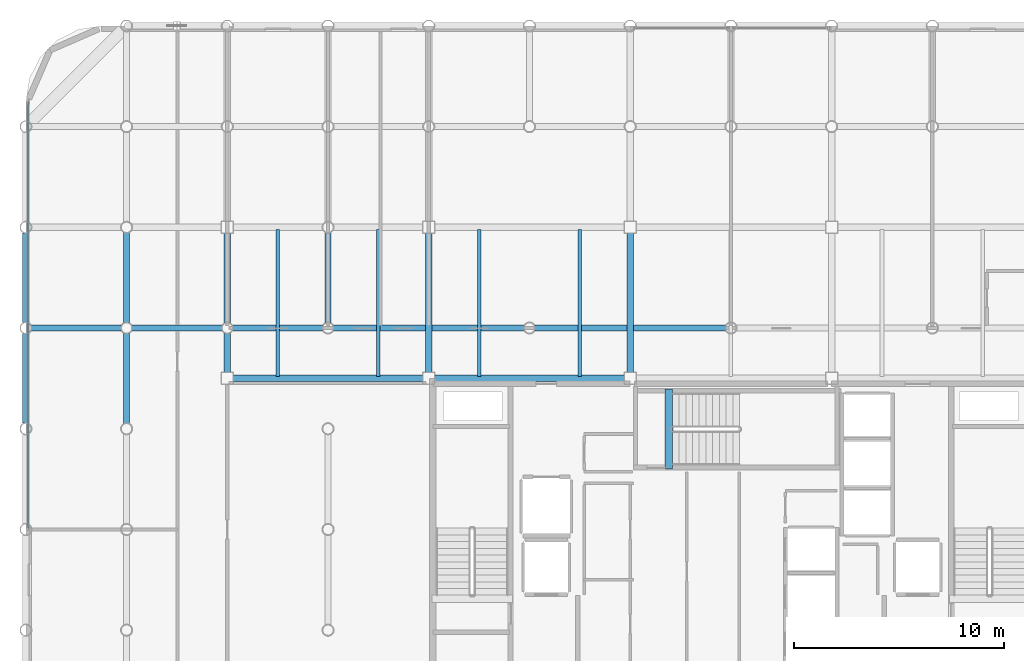
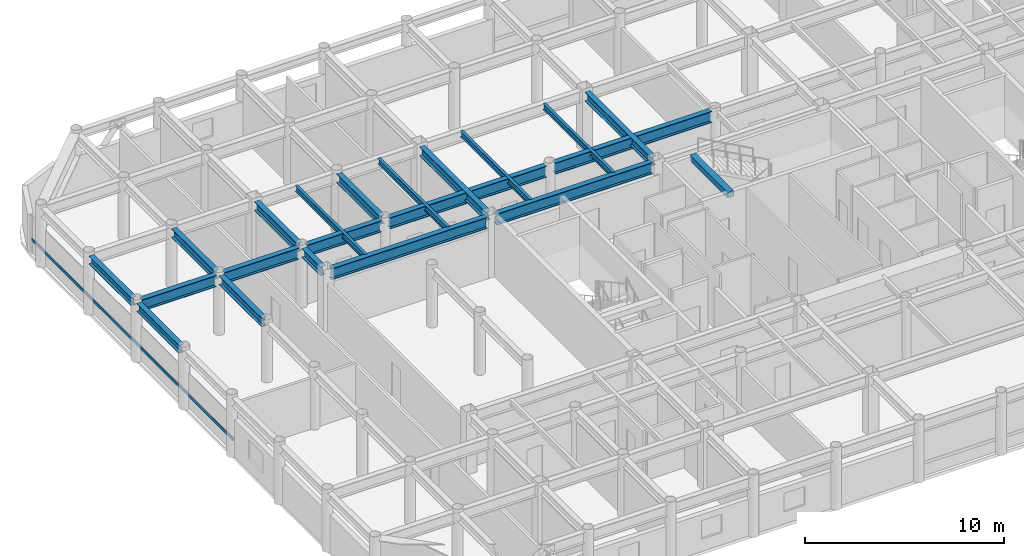
# One storey, part 7 of 22: 21 beams, 1 member, 1 element without a shape of its own.
"""IFC4 building model written with IfcOpenShell, lengths in metres."""

import ifcopenshell
import ifcopenshell.guid

model = None  # the IFC model being written
_history = None  # IfcOwnerHistory: only IFC2X3 demands one
_inside = {}  # id of a spatial element -> (the spatial element, [elements in it])
_under = {}  # id of a project, library or spatial element -> (it, [spatial elements below it])
_declared = {}  # id of a project -> (the project, [libraries it declares])
_typed = {}  # id of a type object -> (the type object, [elements of that type])
_made_of = {}  # id of a material, layer set ... -> (it, [elements and type objects made of it])


def new_model(schema):
    """Start an empty IFC model of exactly this schema.

    Asked for "IFC4X3", IfcOpenShell would pick the latest addendum, in which some entities
    have other attributes; the version numbers below select the first issue.
    IFC2X3 requires an IfcOwnerHistory on every rooted entity: one is made here for all.
    """
    global model, _history
    if schema == "IFC4X3":
        model = ifcopenshell.file(schema_version=(4, 3, 0, 0))
    else:
        model = ifcopenshell.file(schema=schema)
    _inside.clear()
    _under.clear()
    _declared.clear()
    _typed.clear()
    _made_of.clear()
    _history = None
    if model.schema == "IFC2X3":
        org = make("IfcOrganization", Name="unknown")
        user = make(
            "IfcPersonAndOrganization",
            ThePerson=make("IfcPerson", FamilyName="unknown"),
            TheOrganization=org,
        )
        app = make(
            "IfcApplication",
            ApplicationDeveloper=org,
            Version="unknown",
            ApplicationFullName="unknown",
            ApplicationIdentifier="unknown",
        )
        _history = make(
            "IfcOwnerHistory",
            OwningUser=user,
            OwningApplication=app,
            ChangeAction="ADDED",
            CreationDate=0,
        )
    return model


def make(cls, **values):
    """One entity of the class cls with the attributes given. An attribute that is None is left unset."""
    return model.create_entity(
        cls, **{name: value for name, value in values.items() if value is not None}
    )


def rooted(cls, **values):
    """An entity with a GlobalId (a new one), such as an element, a storey or a relation."""
    return make(cls, GlobalId=ifcopenshell.guid.new(), OwnerHistory=_history, **values)


def si_unit(unit_type, name, prefix=None):
    """IfcSIUnit, for example si_unit("LENGTHUNIT", "METRE", prefix="MILLI")."""
    return make("IfcSIUnit", UnitType=unit_type, Prefix=prefix, Name=name)


def assignment(units):
    """IfcUnitAssignment: the units of a project."""
    return None if units is None else make("IfcUnitAssignment", Units=units)


def point(xyz):
    """IfcCartesianPoint."""
    return None if xyz is None else make("IfcCartesianPoint", Coordinates=xyz)


def direction(xyz):
    """IfcDirection."""
    return None if xyz is None else make("IfcDirection", DirectionRatios=xyz)


def frame(location, z_axis=None, x_axis=None):
    """IfcAxis2Placement3D, a coordinate frame: its origin and axes. An axis left out is left unset."""
    return make(
        "IfcAxis2Placement3D",
        Location=point(location),
        Axis=direction(z_axis),
        RefDirection=direction(x_axis),
    )


def frame_2d(location, x_axis=None):
    """IfcAxis2Placement2D, a coordinate frame in the plane: its origin and x axis."""
    return make(
        "IfcAxis2Placement2D", Location=point(location), RefDirection=direction(x_axis)
    )


def origin():
    """The frame at (0, 0, 0) with its axes left unset."""
    return frame((0.0, 0.0, 0.0))


def origin_2d():
    """The frame at (0, 0) in the plane with its x axis left unset."""
    return frame_2d((0.0, 0.0))


def place(relative_to, where):
    """IfcLocalPlacement: puts the frame where relative to a parent placement (None: the world)."""
    return make(
        "IfcLocalPlacement", PlacementRelTo=relative_to, RelativePlacement=where
    )


def context(
    kind, dimensions, precision=None, world=None, true_north=None, identifier=None
):
    """IfcGeometricRepresentationContext, for example the 3D "Model" context."""
    return make(
        "IfcGeometricRepresentationContext",
        ContextIdentifier=identifier,
        ContextType=kind,
        CoordinateSpaceDimension=dimensions,
        Precision=precision,
        WorldCoordinateSystem=world,
        TrueNorth=true_north,
    )


def subcontext(parent, identifier, kind, view, scale=None):
    """IfcGeometricRepresentationSubContext, for example "Body" below "Model"."""
    return make(
        "IfcGeometricRepresentationSubContext",
        ContextIdentifier=identifier,
        ContextType=kind,
        ParentContext=parent,
        TargetScale=scale,
        TargetView=view,
    )


def project(units=None, contexts=None):
    """IfcProject with its units and contexts."""
    return rooted(
        "IfcProject",
        Name="project",
        RepresentationContexts=contexts,
        UnitsInContext=assignment(units),
    )


def spatial(cls, under=None, at=None, **own):
    """A site, building, storey or space (cls), placed at a placement, below another one or the project."""
    s = rooted(cls, ObjectPlacement=at, **own)
    if under is not None:
        _under.setdefault(under.id(), (under, []))[1].append(s)
    return s


def profile(cls, at=None, kind="AREA", **sizes):
    """A parametric profile (cls). Its sizes go by their IFC names, for example OverallWidth=200.0."""
    return make(cls, ProfileType=kind, Position=at, **sizes)


def rectangle(**sizes):
    """IfcRectangleProfileDef."""
    return profile("IfcRectangleProfileDef", **sizes)


def hollow_rectangle(**sizes):
    """IfcRectangleHollowProfileDef."""
    return profile("IfcRectangleHollowProfileDef", **sizes)


def i_section(**sizes):
    """IfcIShapeProfileDef."""
    return profile("IfcIShapeProfileDef", **sizes)


def extrude(swept, where, along, depth):
    """IfcExtrudedAreaSolid: the profile swept, set in the frame where, extruded along a direction by depth."""
    return make(
        "IfcExtrudedAreaSolid",
        SweptArea=swept,
        Position=where,
        ExtrudedDirection=direction(along),
        Depth=depth,
    )


def shape(context_of_items, identifier, shape_type, items):
    """IfcShapeRepresentation: the items that make up one representation, for example the "Body"."""
    return make(
        "IfcShapeRepresentation",
        ContextOfItems=context_of_items,
        RepresentationIdentifier=identifier,
        RepresentationType=shape_type,
        Items=items,
    )


def material(Name=None, Category=None):
    """IfcMaterial."""
    return make("IfcMaterial", Name=Name, Category=Category)


def layer(
    of_material, thickness, ventilated=None, Name=None, Category=None, Priority=None
):
    """IfcMaterialLayer: one layer of a wall or slab, of a material (None: an air gap)."""
    return make(
        "IfcMaterialLayer",
        Material=of_material,
        LayerThickness=thickness,
        IsVentilated=ventilated,
        Name=Name,
        Category=Category,
        Priority=Priority,
    )


def layer_set(layers, Name=None):
    """IfcMaterialLayerSet."""
    return make("IfcMaterialLayerSet", MaterialLayers=layers, LayerSetName=Name)


def material_profile(
    of_material, cross_section, Name=None, Category=None, Priority=None
):
    """IfcMaterialProfile: a cross section and its material."""
    return make(
        "IfcMaterialProfile",
        Name=Name,
        Material=of_material,
        Profile=cross_section,
        Priority=Priority,
        Category=Category,
    )


def profile_set(profiles, Name=None, composite=None):
    """IfcMaterialProfileSet."""
    return make(
        "IfcMaterialProfileSet",
        Name=Name,
        MaterialProfiles=profiles,
        CompositeProfile=composite,
    )


def made_of(thing, what):
    """Note that an element or type object is made of a material, layer set ...; save() writes the relation."""
    if what is not None:
        _made_of.setdefault(what.id(), (what, []))[1].append(thing)
    return thing


def type_object(cls, material=None, **own):
    """A type object (cls), such as IfcWallType, which elements share."""
    return made_of(rooted(cls, **own), material)


def element(
    cls,
    number,
    at=None,
    inside=None,
    cuts=None,
    type_object=None,
    material=None,
    context=None,
    identifier="Body",
    shape_type=None,
    held_by="IfcProductDefinitionShape",
    body=None,
    shapes=None,
    **own,
):
    """One element of the class cls, such as IfcWall. Its Tag is "e" and its number.

    at: its placement. inside: the storey or other place that contains it. cuts: it is an
    opening in that element (IfcRelVoidsElement). A single representation is given by context,
    identifier, shape_type and body (its items); several are given by shapes. held_by: the class
    of the entity that holds the representations. save() writes the other relations.
    """
    e = rooted(cls, Tag="e%d" % number, ObjectPlacement=at, **own)
    if body is not None:
        shapes = [shape(context, identifier, shape_type, body)]
    if shapes is not None:
        e.Representation = make(held_by, Representations=shapes)
    if inside is not None:
        _inside.setdefault(inside.id(), (inside, []))[1].append(e)
    if cuts is not None:
        rooted(
            "IfcRelVoidsElement", RelatingBuildingElement=cuts, RelatedOpeningElement=e
        )
    if type_object is not None:
        _typed.setdefault(type_object.id(), (type_object, []))[1].append(e)
    return made_of(e, material)


def aggregate(whole, parts):
    """IfcRelAggregates: a whole, such as a stair, and the parts it consists of."""
    return rooted("IfcRelAggregates", RelatingObject=whole, RelatedObjects=parts)


def save(model, path):
    """Write the relations noted so far, then the file.

    IfcRelAggregates (storeys below a building ...), IfcRelContainedInSpatialStructure (elements
    in a storey), IfcRelDefinesByType, IfcRelAssociatesMaterial and IfcRelDeclares: one each for
    every whole, place, type object, material and project.
    """
    for whole, parts in _under.values():
        aggregate(whole, parts)
    for where, things in _inside.values():
        rooted(
            "IfcRelContainedInSpatialStructure",
            RelatedElements=things,
            RelatingStructure=where,
        )
    for kind, things in _typed.values():
        rooted("IfcRelDefinesByType", RelatedObjects=things, RelatingType=kind)
    for what, things in _made_of.values():
        rooted("IfcRelAssociatesMaterial", RelatedObjects=things, RelatingMaterial=what)
    for by, libraries in _declared.values():
        rooted("IfcRelDeclares", RelatingContext=by, RelatedDefinitions=libraries)
    model.write(path)


model = new_model("IFC4")

# Units and contexts
model_context = context("Model", 3, precision=1e-05, world=origin(), true_north=direction((0.0, 1.0)))
body_context = subcontext(model_context, "Body", "Model", "MODEL_VIEW")
ifc_project = project(units=[si_unit("LENGTHUNIT", "METRE"), si_unit("AREAUNIT", "SQUARE_METRE"), si_unit("VOLUMEUNIT", "CUBIC_METRE"), si_unit("PLANEANGLEUNIT", "RADIAN"), si_unit("MASSUNIT", "GRAM", prefix="KILO")], contexts=[model_context])

# Site, building, storey
site_placement = place(None, origin())
site = spatial("IfcSite", under=ifc_project, at=site_placement, CompositionType="ELEMENT")
building_placement = place(site_placement, origin())
building = spatial("IfcBuilding", under=site, at=building_placement, Name="Kallvorn Hotel Tower", CompositionType="ELEMENT")
storey_placement = place(building_placement, frame((0.0, 0.0, 264.64990234375)))
storey = spatial("IfcBuildingStorey", under=building, at=storey_placement, Name="L66", CompositionType="ELEMENT", Elevation=264.64990234375)

# Beams
ifc_material_1 = material(Name="Structural steel S355JR", Category="steel")
ifc_material_profile_1 = material_profile(ifc_material_1, i_section(OverallWidth=0.300048828125, OverallDepth=0.5, WebThickness=0.014404296875, FlangeThickness=0.028076171875, at=origin_2d()), Name="HE 500 B")
ifc_profile_set_1 = profile_set([ifc_material_profile_1], Name="Structural steel S355JR")
beam_type_1 = type_object("IfcBeamType", Name="BM_HE500B", PredefinedType="SPANDREL", material=ifc_profile_set_1)
beam_1_placement = place(storey_placement, frame((-33.60009765625, 5.069580078125, 3.420166015625), z_axis=(0.0, 1.0, 0.0), x_axis=(-1.0, 0.0, 0.0)))
element("IfcBeam", 1, at=beam_1_placement, inside=storey, type_object=beam_type_1, Name="L67 Perimeter Spandrel 178", PredefinedType="SPANDREL", context=body_context, shape_type="SweptSolid", body=[
    extrude(i_section(OverallWidth=0.300048828125, OverallDepth=0.5, WebThickness=0.014404296875, FlangeThickness=0.028076171875, at=origin_2d()), origin(), (0.0, 0.0, 1.0), 4.260986328125),
])
beam_2_placement = place(storey_placement, frame((-33.60009765625, 9.869384765625, 3.420166015625), z_axis=(0.0, 1.0, 0.0), x_axis=(-1.0, 0.0, 0.0)))
element("IfcBeam", 2, at=beam_2_placement, inside=storey, type_object=beam_type_1, Name="L67 Perimeter Spandrel 179", PredefinedType="SPANDREL", context=body_context, shape_type="SweptSolid", body=[
    extrude(i_section(OverallWidth=0.300048828125, OverallDepth=0.5, WebThickness=0.014404296875, FlangeThickness=0.028076171875, at=origin_2d()), origin(), (0.0, 0.0, 1.0), 4.26123046875),
])
ifc_material_2 = material(Name="Structural steel S355JR", Category="steel")
ifc_material_profile_2 = material_profile(ifc_material_2, i_section(OverallWidth=0.300048828125, OverallDepth=0.550048828125, WebThickness=0.014892578125, FlangeThickness=0.029052734375, at=origin_2d()), Name="HE 550 B")
ifc_profile_set_2 = profile_set([ifc_material_profile_2], Name="Structural steel S355JR")
beam_type_2 = type_object("IfcBeamType", Name="BM_HE550B", PredefinedType="SPANDREL", material=ifc_profile_set_2)
for number, where, z_axis, x_axis, name in (
    (3, (-28.800048828125, 5.054443359375, 3.39501953125), (0.0, 1.0, 0.0), (-1.0, 0.0, 0.0), "L67 Primary Y-Girder 78"),
    (4, (-28.800048828125, 9.8544921875, 3.39501953125), (0.0, 1.0, 0.0), (-1.0, 0.0, 0.0), "L67 Primary Y-Girder 79"),
):
    element("IfcBeam", number, at=place(storey_placement, frame(where, z_axis=z_axis, x_axis=x_axis)), inside=storey, type_object=beam_type_2, Name=name, PredefinedType="SPANDREL", context=body_context, shape_type="SweptSolid", body=[
        extrude(i_section(OverallWidth=0.300048828125, OverallDepth=0.550048828125, WebThickness=0.014892578125, FlangeThickness=0.029052734375, at=origin_2d()), origin(), (0.0, 0.0, 1.0), 4.291015625),
    ])
beam_3_placement = place(storey_placement, frame((-24.0, 7.47509765625, 3.39501953125), z_axis=(0.0, 1.0, 0.0), x_axis=(-1.0, 0.0, 0.0)))
element("IfcBeam", 5, at=beam_3_placement, inside=storey, type_object=beam_type_2, Name="L67 Primary Y-Girder 85", PredefinedType="SPANDREL", context=body_context, shape_type="SweptSolid", body=[
    extrude(i_section(OverallWidth=0.300048828125, OverallDepth=0.550048828125, WebThickness=0.014892578125, FlangeThickness=0.029052734375, at=origin_2d()), origin(), (0.0, 0.0, 1.0), 1.870361328125),
])
beam_4_placement = place(storey_placement, frame((-24.0, 9.8544921875, 3.39501953125), z_axis=(0.0, 1.0, 0.0), x_axis=(-1.0, 0.0, 0.0)))
element("IfcBeam", 6, at=beam_4_placement, inside=storey, type_object=beam_type_2, Name="L67 Primary Y-Girder 86", PredefinedType="SPANDREL", context=body_context, shape_type="SweptSolid", body=[
    extrude(i_section(OverallWidth=0.300048828125, OverallDepth=0.550048828125, WebThickness=0.014892578125, FlangeThickness=0.029052734375, at=origin_2d()), origin(), (0.0, 0.0, 1.0), 4.2705078125),
])
beam_5_placement = place(storey_placement, frame((-19.199951171875, 9.8544921875, 3.39501953125), z_axis=(0.0, 1.0, 0.0), x_axis=(-1.0, 0.0, 0.0)))
element("IfcBeam", 7, at=beam_5_placement, inside=storey, type_object=beam_type_2, Name="L67 Primary Y-Girder 95", PredefinedType="SPANDREL", context=body_context, shape_type="SweptSolid", body=[
    extrude(i_section(OverallWidth=0.300048828125, OverallDepth=0.550048828125, WebThickness=0.014892578125, FlangeThickness=0.029052734375, at=origin_2d()), origin(), (0.0, 0.0, 1.0), 4.291015625),
])
for number, where, z_axis, x_axis, name in (
    (8, (-14.39990234375, 7.47509765625, 3.39501953125), (0.0, 1.0, 0.0), (-1.0, 0.0, 0.0), "L67 Primary Y-Girder 100"),
    (9, (-4.800048828125, 7.47509765625, 3.39501953125), (0.0, 1.0, 0.0), (-1.0, 0.0, 0.0), "L67 Primary Y-Girder 108"),
):
    element("IfcBeam", number, at=place(storey_placement, frame(where, z_axis=z_axis, x_axis=x_axis)), inside=storey, type_object=beam_type_2, Name=name, PredefinedType="SPANDREL", context=body_context, shape_type="SweptSolid", body=[
        extrude(i_section(OverallWidth=0.300048828125, OverallDepth=0.550048828125, WebThickness=0.014892578125, FlangeThickness=0.029052734375, at=origin_2d()), origin(), (0.0, 0.0, 1.0), 6.64990234375),
    ])
ifc_material_3 = material(Name="Structural steel S355JR", Category="steel")
ifc_material_profile_3 = material_profile(ifc_material_3, i_section(OverallWidth=0.300048828125, OverallDepth=0.699951171875, WebThickness=0.01708984375, FlangeThickness=0.031982421875, at=origin_2d()), Name="HE 700 B")
ifc_profile_set_3 = profile_set([ifc_material_profile_3], Name="Structural steel S355JR")
beam_type_3 = type_object("IfcBeamType", Name="BM_HE700B", PredefinedType="BEAM", material=ifc_profile_set_3)
for number, where, z_axis, x_axis, name in (
    (10, (-23.72509765625, 7.199951171875, 3.320068359375), (1.0, 0.0, 0.0), (0.0, 1.0, 0.0), "L67 Primary X-Girder 36"),
    (11, (-14.125, 7.199951171875, 3.320068359375), (1.0, 0.0, 0.0), (0.0, 1.0, 0.0), "L67 Primary X-Girder 37"),
):
    element("IfcBeam", number, at=place(storey_placement, frame(where, z_axis=z_axis, x_axis=x_axis)), inside=storey, type_object=beam_type_3, Name=name, PredefinedType="BEAM", context=body_context, shape_type="SweptSolid", body=[
        extrude(i_section(OverallWidth=0.300048828125, OverallDepth=0.699951171875, WebThickness=0.01708984375, FlangeThickness=0.031982421875, at=origin_2d()), origin(), (0.0, 0.0, 1.0), 9.050048828125),
    ])
for number, where, z_axis, x_axis, name in (
    (12, (-33.345458984375, 9.60009765625, 3.320068359375), (1.0, 0.0, 0.0), (0.0, 1.0, 0.0), "L67 Primary X-Girder 41"),
    (13, (-28.54541015625, 9.60009765625, 3.320068359375), (1.0, 0.0, 0.0), (0.0, 1.0, 0.0), "L67 Primary X-Girder 42"),
    (14, (-23.74560546875, 9.60009765625, 3.320068359375), (1.0, 0.0, 0.0), (0.0, 1.0, 0.0), "L67 Primary X-Girder 43"),
):
    element("IfcBeam", number, at=place(storey_placement, frame(where, z_axis=z_axis, x_axis=x_axis)), inside=storey, type_object=beam_type_3, Name=name, PredefinedType="BEAM", context=body_context, shape_type="SweptSolid", body=[
        extrude(i_section(OverallWidth=0.300048828125, OverallDepth=0.699951171875, WebThickness=0.01708984375, FlangeThickness=0.031982421875, at=origin_2d()), origin(), (0.0, 0.0, 1.0), 4.291015625),
    ])
for number, where, z_axis, x_axis, name in (
    (15, (-18.945556640625, 9.60009765625, 3.320068359375), (1.0, 0.0, 0.0), (0.0, 1.0, 0.0), "L67 Primary X-Girder 44"),
    (16, (-9.345458984375, 9.60009765625, 3.320068359375), (1.0, 0.0, 0.0), (0.0, 1.0, 0.0), "L67 Primary X-Girder 45"),
):
    element("IfcBeam", number, at=place(storey_placement, frame(where, z_axis=z_axis, x_axis=x_axis)), inside=storey, type_object=beam_type_3, Name=name, PredefinedType="BEAM", context=body_context, shape_type="SweptSolid", body=[
        extrude(i_section(OverallWidth=0.300048828125, OverallDepth=0.699951171875, WebThickness=0.01708984375, FlangeThickness=0.031982421875, at=origin_2d()), origin(), (0.0, 0.0, 1.0), 9.091064453125),
    ])
ifc_material_4 = material(Name="Structural steel S355JR", Category="steel")
ifc_material_profile_4 = material_profile(ifc_material_4, i_section(OverallWidth=0.169921875, OverallDepth=0.360107421875, WebThickness=0.008056640625, FlangeThickness=0.0126953125, at=origin_2d()), Name="IPE 360")
ifc_profile_set_4 = profile_set([ifc_material_profile_4], Name="Structural steel S355JR")
beam_type_4 = type_object("IfcBeamType", Name="BM_IPE360", PredefinedType="JOIST", material=ifc_profile_set_4)
for number, where, z_axis, x_axis, name in (
    (17, (-21.60009765625, 7.300048828125, 3.489990234375), (0.0, 1.0, 0.0), (-1.0, 0.0, 0.0), "L67 Secondary Composite Joist 193"),
    (18, (-16.800048828125, 7.300048828125, 3.489990234375), (0.0, 1.0, 0.0), (-1.0, 0.0, 0.0), "L67 Secondary Composite Joist 195"),
    (19, (-12.0, 7.300048828125, 3.489990234375), (0.0, 1.0, 0.0), (-1.0, 0.0, 0.0), "L67 Secondary Composite Joist 197"),
    (20, (-7.199951171875, 7.300048828125, 3.489990234375), (0.0, 1.0, 0.0), (-1.0, 0.0, 0.0), "L67 Secondary Composite Joist 199"),
):
    element("IfcBeam", number, at=place(storey_placement, frame(where, z_axis=z_axis, x_axis=x_axis)), inside=storey, type_object=beam_type_4, Name=name, PredefinedType="JOIST", context=body_context, shape_type="SweptSolid", body=[
        extrude(i_section(OverallWidth=0.169921875, OverallDepth=0.360107421875, WebThickness=0.008056640625, FlangeThickness=0.0126953125, at=origin_2d()), origin(), (0.0, 0.0, 1.0), 7.0),
    ])
ifc_material_5 = material(Name="Concrete C50/60", Category="concrete")
ifc_material_profile_5 = material_profile(ifc_material_5, rectangle(XDim=0.360107421875, YDim=0.340087890625, at=origin_2d()), Name="RC 360x340")
ifc_profile_set_5 = profile_set([ifc_material_profile_5], Name="Concrete C50/60")
beam_type_5 = type_object("IfcBeamType", Name="BM_RC_400x360", PredefinedType="BEAM", material=ifc_profile_set_5)
beam_6_placement = place(storey_placement, frame((-2.9599609375, 2.8701171875, 3.5), z_axis=(0.0, 1.0, 0.0), x_axis=(-1.0, 0.0, 0.0)))
element("IfcBeam", 21, at=beam_6_placement, inside=storey, type_object=beam_type_5, Name="L67 Stair ST3 Arrival Trimmer Beam", PredefinedType="BEAM", context=body_context, shape_type="SweptSolid", body=[
    extrude(rectangle(XDim=0.360107421875, YDim=0.340087890625, at=origin_2d()), origin(), (0.0, 0.0, 1.0), 3.81982421875),
])

# Curtain wall, member
ifc_material_6 = material(Name="Thermally broken black-anodised aluminium AA 6063-T6", Category="aluminium")
ifc_layer = layer(ifc_material_6, 0.22998046875)
ifc_layer_set = layer_set([ifc_layer], Name="CW_SYS_5_HOTEL_HIGH")
curtain_wall_type = type_object("IfcCurtainWallType", Name="CW_SYS_5_HOTEL_HIGH", PredefinedType="USERDEFINED", material=ifc_layer_set)
curtain_wall_placement = place(storey_placement, origin())
curtain_wall = element("IfcCurtainWall", 22, at=curtain_wall_placement, inside=storey, type_object=curtain_wall_type, Name="L66 Dark-Glass Curtain Wall CW-L66-WN", ObjectType="UNITISED CURTAIN WALL", PredefinedType="USERDEFINED")
ifc_material_7 = material(Name="Thermally broken black-anodised aluminium AA 6063-T6", Category="aluminium")
ifc_material_profile_6 = material_profile(ifc_material_7, hollow_rectangle(XDim=0.070068359375, YDim=0.179931640625, WallThickness=0.00390625, at=origin_2d()), Name="TRN 180x70")
ifc_profile_set_6 = profile_set([ifc_material_profile_6], Name="Thermally broken black-anodised aluminium AA 6063-T6")
member_type = type_object("IfcMemberType", Name="CW_TRANSOM_180x70", PredefinedType="USERDEFINED", material=ifc_profile_set_6)
member_placement = place(storey_placement, frame((-33.47998046875, 0.06005859375, 0.85009765625), z_axis=(0.0, 1.0, 0.0), x_axis=(-1.0, 0.0, 0.0)))
member = element("IfcMember", 23, at=member_placement, type_object=member_type, Name="CW-L66-WN Transom 00M", ObjectType="TRANSOM", PredefinedType="USERDEFINED", context=body_context, shape_type="SweptSolid", body=[
    extrude(hollow_rectangle(XDim=0.070068359375, YDim=0.179931640625, WallThickness=0.00390625, at=origin_2d()), origin(), (0.0, 0.0, 1.0), 20.300048828125),
])
aggregate(curtain_wall, [member])

save(model, "model.ifc")
